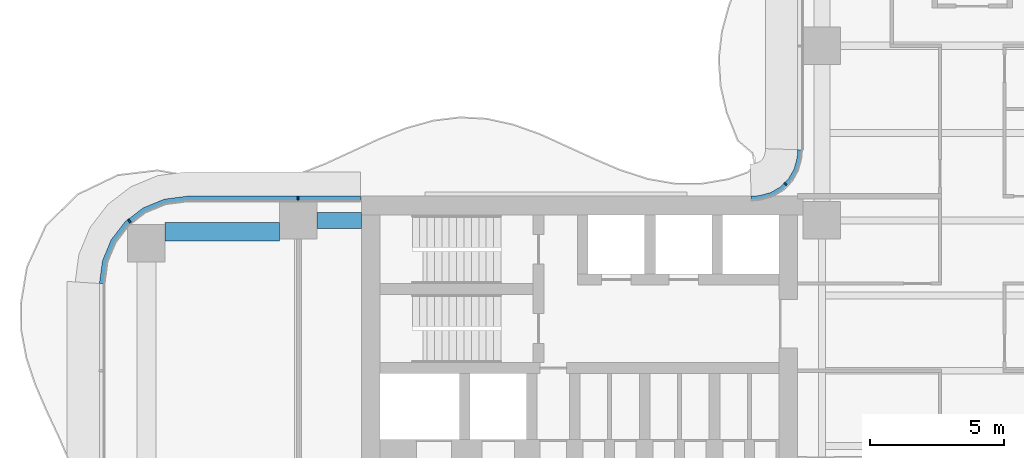
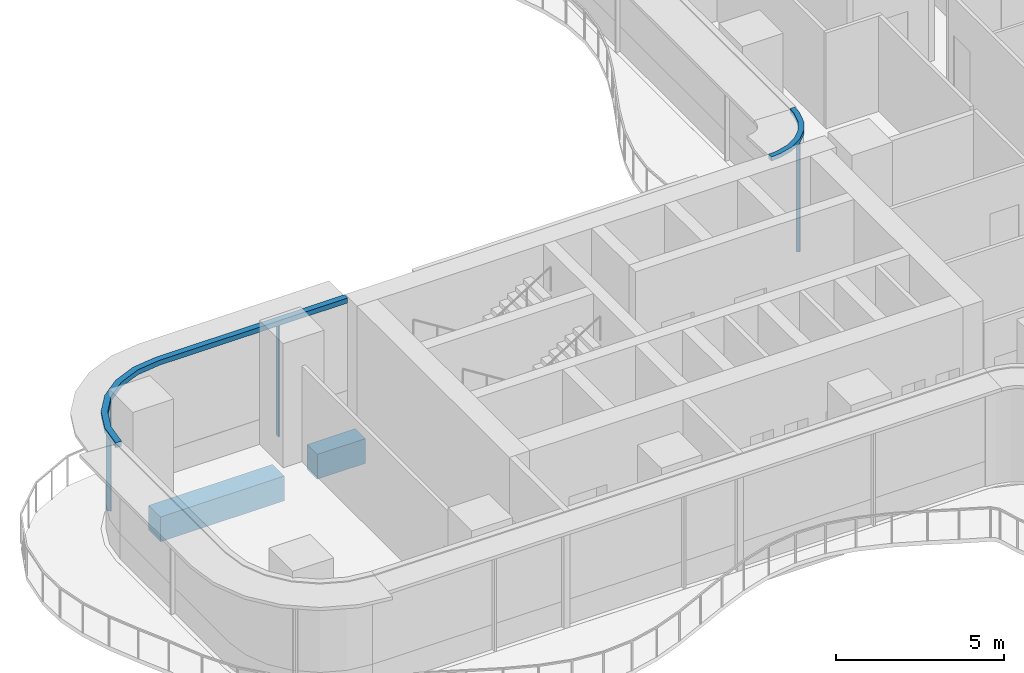
# One storey, part 8 of 22: 5 members, 2 beams, 2 elements without a shape of their own.
"""IFC4 building model written with IfcOpenShell, lengths in metres."""

from ifc_helpers import new_model, si_unit, direction, frame, origin, origin_2d, place, context, subcontext, project, spatial, polyline, rectangle, outline, extrude, source, transform, mapped, material, layer, layer_set, material_profile, profile_set, type_object, element, aggregate, save


model = new_model("IFC4")

# Units and contexts
model_context = context("Model", 3, precision=1e-05, world=origin(), true_north=direction((0.0, 1.0)))
body_context = subcontext(model_context, "Body", "Model", "MODEL_VIEW")
ifc_project = project(units=[si_unit("LENGTHUNIT", "METRE"), si_unit("AREAUNIT", "SQUARE_METRE"), si_unit("VOLUMEUNIT", "CUBIC_METRE"), si_unit("PLANEANGLEUNIT", "RADIAN"), si_unit("MASSUNIT", "GRAM", prefix="KILO")], contexts=[model_context])

# Site, building, storey
site_placement = place(None, origin())
site = spatial("IfcSite", under=ifc_project, at=site_placement, CompositionType="ELEMENT")
building_placement = place(site_placement, origin())
building = spatial("IfcBuilding", under=site, at=building_placement, Name="Trellis Farm Tower", CompositionType="ELEMENT")
storey_placement = place(building_placement, frame((0.0, 0.0, 47.5)))
storey = spatial("IfcBuildingStorey", under=building, at=storey_placement, Name="L09", CompositionType="ELEMENT", Elevation=47.5)

# Beams
ifc_material_1 = material(Name="Concrete C60/75", Category="concrete")
ifc_material_profile_1 = material_profile(ifc_material_1, rectangle(XDim=0.699951171875, YDim=0.89990234375, at=origin_2d()), Name="RC spandrel beam 700x900 C60/75")
ifc_profile_set_1 = profile_set([ifc_material_profile_1], Name="Concrete C60/75")
beam_type_1 = type_object("IfcBeamType", Name="RC spandrel beam 700x900 C60/75", PredefinedType="SPANDREL", material=ifc_profile_set_1)
shared_shape_1 = source(origin(), body_context, "Body", "SweptSolid", [
    extrude(rectangle(XDim=0.699951171875, YDim=0.89990234375, at=origin_2d()), origin(), (0.0, 0.0, 1.0), 4.25),
])
beam_1_placement = place(storey_placement, frame((-30.050048828125, 5.175048828125, -0.699951171875), z_axis=(1.0, 0.0, 0.0), x_axis=(0.0, 1.0, 0.0)))
element("IfcBeam", 1, at=beam_1_placement, inside=storey, type_object=beam_type_1, Name="Girder", PredefinedType="SPANDREL", context=body_context, shape_type="MappedRepresentation", body=[
    mapped(shared_shape_1, transform((0.0, 0.0, 0.0))),
])
ifc_material_profile_2 = material_profile(ifc_material_1, rectangle(XDim=0.60009765625, YDim=0.89990234375, at=origin_2d()), Name="RC spandrel beam 600x900 C60/75")
ifc_profile_set_2 = profile_set([ifc_material_profile_2], Name="Concrete C60/75")
beam_type_2 = type_object("IfcBeamType", Name="RC spandrel beam 600x900 C60/75", PredefinedType="SPANDREL", material=ifc_profile_set_2)
shared_shape_2 = source(origin(), body_context, "Body", "SweptSolid", [
    extrude(rectangle(XDim=0.60009765625, YDim=0.89990234375, at=origin_2d()), origin(), (0.0, 0.0, 1.0), 1.64990234375),
])
beam_2_placement = place(storey_placement, frame((-24.39990234375, 5.60009765625, -0.699951171875), z_axis=(1.0, 0.0, 0.0), x_axis=(0.0, 1.0, 0.0)))
element("IfcBeam", 2, at=beam_2_placement, inside=storey, type_object=beam_type_2, Name="Girder", PredefinedType="SPANDREL", context=body_context, shape_type="MappedRepresentation", body=[
    mapped(shared_shape_2, transform((0.0, 0.0, 0.0))),
])

# Curtain wall, members
ifc_material_2 = material(Name="Aluminium and glass curtain wall", Category="aluminium")
ifc_layer_1 = layer(ifc_material_2, 0.18994140625)
ifc_layer_set_1 = layer_set([ifc_layer_1], Name="RIBBON CURTAIN WALL CW1")
curtain_wall_type_1 = type_object("IfcCurtainWallType", Name="RIBBON CURTAIN WALL CW1", PredefinedType="NOTDEFINED", material=ifc_layer_set_1)
placement = place(storey_placement, origin())
curtain_wall_1 = element("IfcCurtainWall", 3, at=placement, inside=storey, type_object=curtain_wall_type_1, Name="CW1 012", PredefinedType="NOTDEFINED")
ifc_material_3 = material(Name="Aluminium extrusion 6063-T6", Category="aluminium")
ifc_material_profile_3 = material_profile(ifc_material_3, rectangle(XDim=0.06005859375, YDim=0.14990234375, at=origin_2d()), Name="MULLION 60x150")
ifc_profile_set_3 = profile_set([ifc_material_profile_3], Name="Aluminium extrusion 6063-T6")
member_type_1 = type_object("IfcMemberType", Name="CW1 MULLION 60x150", PredefinedType="MULLION", material=ifc_profile_set_3)
shared_shape_3 = source(origin(), body_context, "Body", "SweptSolid", [
    extrude(rectangle(XDim=0.06005859375, YDim=0.14990234375, at=origin_2d()), origin(), (0.0, 0.0, 1.0), 4.070068359375),
])
member_1_placement = place(storey_placement, frame((-25.10009765625, 6.425048828125, 0.0), z_axis=(0.0, 0.0, 1.0), x_axis=(-1.0, 0.0, 0.0)))
member_1 = element("IfcMember", 4, at=member_1_placement, type_object=member_type_1, Name="MU1 012-01", PredefinedType="MULLION", context=body_context, shape_type="MappedRepresentation", body=[
    mapped(shared_shape_3, transform((0.0, 0.0, 0.0))),
])
member_2_placement = place(storey_placement, frame((-31.385498046875, 5.578369140625, 0.0), z_axis=(0.0, 0.0, 1.0), x_axis=(-0.793353340291, -0.608761429009, 0.0)))
member_2 = element("IfcMember", 5, at=member_2_placement, type_object=member_type_1, Name="MU1 012-02", PredefinedType="MULLION", context=body_context, shape_type="MappedRepresentation", body=[
    mapped(shared_shape_3, transform((0.0, 0.0, 0.0))),
])

ifc_layer_2 = layer(ifc_material_2, 0.166015625)
ifc_layer_set_2 = layer_set([ifc_layer_2], Name="WINTER GARDEN CURTAIN WALL CW3")
curtain_wall_type_2 = type_object("IfcCurtainWallType", Name="WINTER GARDEN CURTAIN WALL CW3", PredefinedType="NOTDEFINED", material=ifc_layer_set_2)
curtain_wall_2 = element("IfcCurtainWall", 6, at=placement, inside=storey, type_object=curtain_wall_type_2, Name="CW3 004", PredefinedType="NOTDEFINED")
ifc_material_profile_4 = material_profile(ifc_material_3, rectangle(XDim=0.050048828125, YDim=0.1201171875, at=origin_2d()), Name="MULLION 50x120")
ifc_profile_set_4 = profile_set([ifc_material_profile_4], Name="Aluminium extrusion 6063-T6")
member_type_2 = type_object("IfcMemberType", Name="CW3 MULLION 50x120", PredefinedType="MULLION", material=ifc_profile_set_4)
shared_shape_4 = source(origin(), body_context, "Body", "SweptSolid", [
    extrude(rectangle(XDim=0.050048828125, YDim=0.1201171875, at=origin_2d()), origin(), (0.0, 0.0, 1.0), 4.10009765625),
])
member_3_placement = place(storey_placement, frame((-6.953125, 6.953125, 0.0), z_axis=(0.0, 0.0, 1.0), x_axis=(-0.707106781187, -0.707106781187, 0.0)))
member_3 = element("IfcMember", 7, at=member_3_placement, type_object=member_type_2, Name="MU3 004-01", PredefinedType="MULLION", context=body_context, shape_type="MappedRepresentation", body=[
    mapped(shared_shape_4, transform((0.0, 0.0, 0.0))),
])
ifc_layer_3 = layer(ifc_material_3, 0.169921875)
ifc_layer_set_3 = layer_set([ifc_layer_3], Name="Aluminium extrusion 6063-T6")
member_type_3 = type_object("IfcMemberType", Name="CW3 TRANSOM 170x150", PredefinedType="USERDEFINED", material=ifc_layer_set_3)
shared_shape_5 = source(origin(), body_context, "Body", "SweptSolid", [
    extrude(outline(polyline([(-6.5, 8.2314453125), (-6.513916015625, 8.01953125), (-6.527587890625, 7.91552734375), (-6.63671875, 7.508544921875), (-6.846923828125, 7.144287109375), (-7.144287109375, 6.846923828125), (-7.508544921875, 6.63671875), (-7.91552734375, 6.527587890625), (-8.01953125, 6.513916015625), (-8.2314453125, 6.5), (-8.225830078125, 6.330078125), (-8.0029296875, 6.3447265625), (-7.88232421875, 6.360595703125), (-7.44287109375, 6.478271484375), (-7.0400390625, 6.7109375), (-6.7109375, 7.0400390625), (-6.478271484375, 7.44287109375), (-6.360595703125, 7.88232421875), (-6.3447265625, 8.0029296875), (-6.330078125, 8.225830078125), (-6.5, 8.2314453125)])), origin(), (0.0, 0.0, 1.0), 0.14990234375),
])
member_4_placement = place(storey_placement, frame((0.0, 0.0, 4.10009765625)))
member_4 = element("IfcMember", 8, at=member_4_placement, type_object=member_type_3, Name="TR3 004", ObjectType="TRANSOM", PredefinedType="USERDEFINED", context=body_context, shape_type="MappedRepresentation", body=[
    mapped(shared_shape_5, transform((0.0, 0.0, 0.0))),
])
aggregate(curtain_wall_2, [member_3, member_4])

# Member
ifc_layer_4 = layer(ifc_material_3, 0.199951171875)
ifc_layer_set_4 = layer_set([ifc_layer_4], Name="Aluminium extrusion 6063-T6")
member_type_4 = type_object("IfcMemberType", Name="CW1 TRANSOM 200x180", PredefinedType="USERDEFINED", material=ifc_layer_set_4)
shared_shape_6 = source(origin(), body_context, "Body", "SweptSolid", [
    extrude(outline(polyline([(-22.780029296875, 6.5), (-29.25, 6.5), (-30.091064453125, 6.38916015625), (-30.875, 6.064697265625), (-31.548095703125, 5.548095703125), (-32.064697265625, 4.875), (-32.38916015625, 4.091064453125), (-32.5, 3.25), (-32.300048828125, 3.23681640625), (-32.1943359375, 4.0390625), (-31.889892578125, 4.774169921875), (-31.405517578125, 5.405517578125), (-30.774169921875, 5.889892578125), (-30.0390625, 6.1943359375), (-29.23681640625, 6.300048828125), (-22.780029296875, 6.300048828125), (-22.780029296875, 6.5)])), origin(), (0.0, 0.0, 1.0), 0.179931640625),
])
member_5_placement = place(storey_placement, frame((0.0, 0.0, 4.070068359375)))
member_5 = element("IfcMember", 9, at=member_5_placement, type_object=member_type_4, Name="TR1 012", ObjectType="TRANSOM", PredefinedType="USERDEFINED", context=body_context, shape_type="MappedRepresentation", body=[
    mapped(shared_shape_6, transform((0.0, 0.0, 0.0))),
])

aggregate(curtain_wall_1, [member_1, member_2, member_5])

save(model, "model.ifc")
